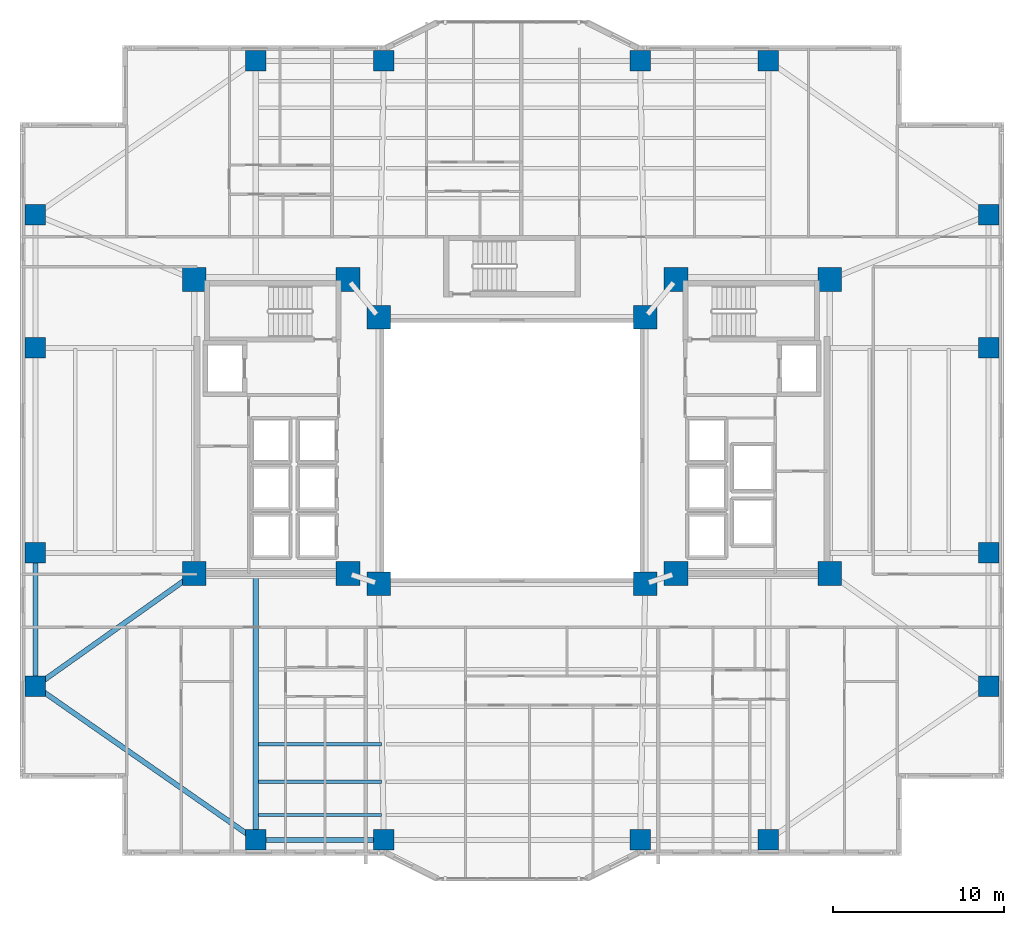
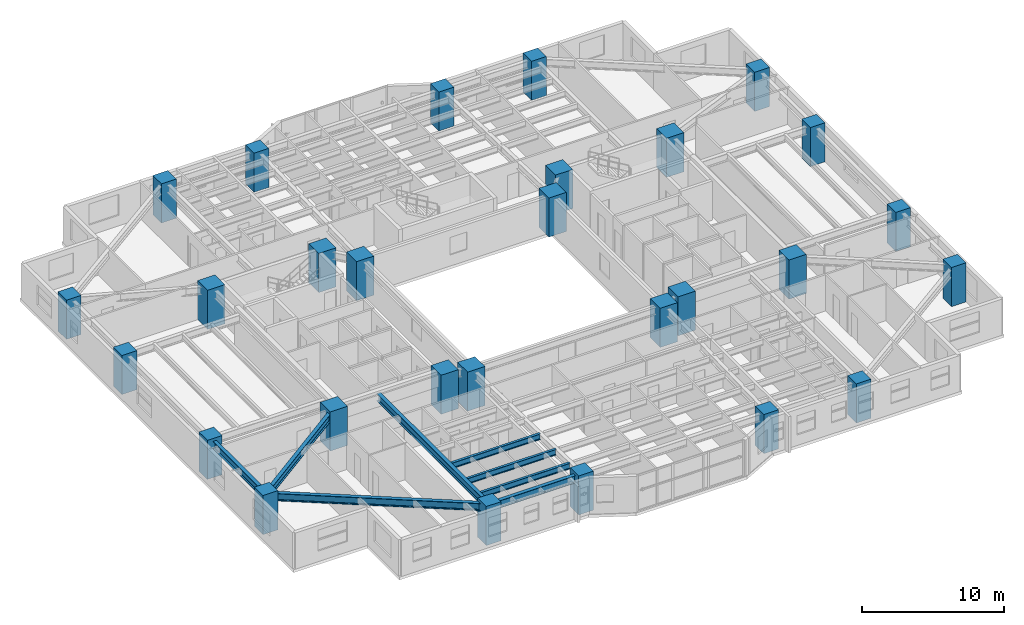
# One storey, part 1 of 21: 28 columns, 8 beams.
"""IFC4 building model written with IfcOpenShell, lengths in metres."""

import ifcopenshell
import ifcopenshell.guid

model = None  # the IFC model being written
_history = None  # IfcOwnerHistory: only IFC2X3 demands one
_inside = {}  # id of a spatial element -> (the spatial element, [elements in it])
_under = {}  # id of a project, library or spatial element -> (it, [spatial elements below it])
_declared = {}  # id of a project -> (the project, [libraries it declares])
_typed = {}  # id of a type object -> (the type object, [elements of that type])
_made_of = {}  # id of a material, layer set ... -> (it, [elements and type objects made of it])


def new_model(schema):
    """Start an empty IFC model of exactly this schema.

    Asked for "IFC4X3", IfcOpenShell would pick the latest addendum, in which some entities
    have other attributes; the version numbers below select the first issue.
    IFC2X3 requires an IfcOwnerHistory on every rooted entity: one is made here for all.
    """
    global model, _history
    if schema == "IFC4X3":
        model = ifcopenshell.file(schema_version=(4, 3, 0, 0))
    else:
        model = ifcopenshell.file(schema=schema)
    _inside.clear()
    _under.clear()
    _declared.clear()
    _typed.clear()
    _made_of.clear()
    _history = None
    if model.schema == "IFC2X3":
        org = make("IfcOrganization", Name="unknown")
        user = make(
            "IfcPersonAndOrganization",
            ThePerson=make("IfcPerson", FamilyName="unknown"),
            TheOrganization=org,
        )
        app = make(
            "IfcApplication",
            ApplicationDeveloper=org,
            Version="unknown",
            ApplicationFullName="unknown",
            ApplicationIdentifier="unknown",
        )
        _history = make(
            "IfcOwnerHistory",
            OwningUser=user,
            OwningApplication=app,
            ChangeAction="ADDED",
            CreationDate=0,
        )
    return model


def make(cls, **values):
    """One entity of the class cls with the attributes given. An attribute that is None is left unset."""
    return model.create_entity(
        cls, **{name: value for name, value in values.items() if value is not None}
    )


def rooted(cls, **values):
    """An entity with a GlobalId (a new one), such as an element, a storey or a relation."""
    return make(cls, GlobalId=ifcopenshell.guid.new(), OwnerHistory=_history, **values)


def si_unit(unit_type, name, prefix=None):
    """IfcSIUnit, for example si_unit("LENGTHUNIT", "METRE", prefix="MILLI")."""
    return make("IfcSIUnit", UnitType=unit_type, Prefix=prefix, Name=name)


def assignment(units):
    """IfcUnitAssignment: the units of a project."""
    return None if units is None else make("IfcUnitAssignment", Units=units)


def point(xyz):
    """IfcCartesianPoint."""
    return None if xyz is None else make("IfcCartesianPoint", Coordinates=xyz)


def direction(xyz):
    """IfcDirection."""
    return None if xyz is None else make("IfcDirection", DirectionRatios=xyz)


def frame(location, z_axis=None, x_axis=None):
    """IfcAxis2Placement3D, a coordinate frame: its origin and axes. An axis left out is left unset."""
    return make(
        "IfcAxis2Placement3D",
        Location=point(location),
        Axis=direction(z_axis),
        RefDirection=direction(x_axis),
    )


def frame_2d(location, x_axis=None):
    """IfcAxis2Placement2D, a coordinate frame in the plane: its origin and x axis."""
    return make(
        "IfcAxis2Placement2D", Location=point(location), RefDirection=direction(x_axis)
    )


def origin():
    """The frame at (0, 0, 0) with its axes left unset."""
    return frame((0.0, 0.0, 0.0))


def origin_2d():
    """The frame at (0, 0) in the plane with its x axis left unset."""
    return frame_2d((0.0, 0.0))


def place(relative_to, where):
    """IfcLocalPlacement: puts the frame where relative to a parent placement (None: the world)."""
    return make(
        "IfcLocalPlacement", PlacementRelTo=relative_to, RelativePlacement=where
    )


def context(
    kind, dimensions, precision=None, world=None, true_north=None, identifier=None
):
    """IfcGeometricRepresentationContext, for example the 3D "Model" context."""
    return make(
        "IfcGeometricRepresentationContext",
        ContextIdentifier=identifier,
        ContextType=kind,
        CoordinateSpaceDimension=dimensions,
        Precision=precision,
        WorldCoordinateSystem=world,
        TrueNorth=true_north,
    )


def subcontext(parent, identifier, kind, view, scale=None):
    """IfcGeometricRepresentationSubContext, for example "Body" below "Model"."""
    return make(
        "IfcGeometricRepresentationSubContext",
        ContextIdentifier=identifier,
        ContextType=kind,
        ParentContext=parent,
        TargetScale=scale,
        TargetView=view,
    )


def project(units=None, contexts=None):
    """IfcProject with its units and contexts."""
    return rooted(
        "IfcProject",
        Name="project",
        RepresentationContexts=contexts,
        UnitsInContext=assignment(units),
    )


def spatial(cls, under=None, at=None, **own):
    """A site, building, storey or space (cls), placed at a placement, below another one or the project."""
    s = rooted(cls, ObjectPlacement=at, **own)
    if under is not None:
        _under.setdefault(under.id(), (under, []))[1].append(s)
    return s


def profile(cls, at=None, kind="AREA", **sizes):
    """A parametric profile (cls). Its sizes go by their IFC names, for example OverallWidth=200.0."""
    return make(cls, ProfileType=kind, Position=at, **sizes)


def rectangle(**sizes):
    """IfcRectangleProfileDef."""
    return profile("IfcRectangleProfileDef", **sizes)


def i_section(**sizes):
    """IfcIShapeProfileDef."""
    return profile("IfcIShapeProfileDef", **sizes)


def extrude(swept, where, along, depth):
    """IfcExtrudedAreaSolid: the profile swept, set in the frame where, extruded along a direction by depth."""
    return make(
        "IfcExtrudedAreaSolid",
        SweptArea=swept,
        Position=where,
        ExtrudedDirection=direction(along),
        Depth=depth,
    )


def shape(context_of_items, identifier, shape_type, items):
    """IfcShapeRepresentation: the items that make up one representation, for example the "Body"."""
    return make(
        "IfcShapeRepresentation",
        ContextOfItems=context_of_items,
        RepresentationIdentifier=identifier,
        RepresentationType=shape_type,
        Items=items,
    )


def material(Name=None, Category=None):
    """IfcMaterial."""
    return make("IfcMaterial", Name=Name, Category=Category)


def material_profile(
    of_material, cross_section, Name=None, Category=None, Priority=None
):
    """IfcMaterialProfile: a cross section and its material."""
    return make(
        "IfcMaterialProfile",
        Name=Name,
        Material=of_material,
        Profile=cross_section,
        Priority=Priority,
        Category=Category,
    )


def profile_set(profiles, Name=None, composite=None):
    """IfcMaterialProfileSet."""
    return make(
        "IfcMaterialProfileSet",
        Name=Name,
        MaterialProfiles=profiles,
        CompositeProfile=composite,
    )


def made_of(thing, what):
    """Note that an element or type object is made of a material, layer set ...; save() writes the relation."""
    if what is not None:
        _made_of.setdefault(what.id(), (what, []))[1].append(thing)
    return thing


def type_object(cls, material=None, **own):
    """A type object (cls), such as IfcWallType, which elements share."""
    return made_of(rooted(cls, **own), material)


def element(
    cls,
    number,
    at=None,
    inside=None,
    cuts=None,
    type_object=None,
    material=None,
    context=None,
    identifier="Body",
    shape_type=None,
    held_by="IfcProductDefinitionShape",
    body=None,
    shapes=None,
    **own,
):
    """One element of the class cls, such as IfcWall. Its Tag is "e" and its number.

    at: its placement. inside: the storey or other place that contains it. cuts: it is an
    opening in that element (IfcRelVoidsElement). A single representation is given by context,
    identifier, shape_type and body (its items); several are given by shapes. held_by: the class
    of the entity that holds the representations. save() writes the other relations.
    """
    e = rooted(cls, Tag="e%d" % number, ObjectPlacement=at, **own)
    if body is not None:
        shapes = [shape(context, identifier, shape_type, body)]
    if shapes is not None:
        e.Representation = make(held_by, Representations=shapes)
    if inside is not None:
        _inside.setdefault(inside.id(), (inside, []))[1].append(e)
    if cuts is not None:
        rooted(
            "IfcRelVoidsElement", RelatingBuildingElement=cuts, RelatedOpeningElement=e
        )
    if type_object is not None:
        _typed.setdefault(type_object.id(), (type_object, []))[1].append(e)
    return made_of(e, material)


def aggregate(whole, parts):
    """IfcRelAggregates: a whole, such as a stair, and the parts it consists of."""
    return rooted("IfcRelAggregates", RelatingObject=whole, RelatedObjects=parts)


def save(model, path):
    """Write the relations noted so far, then the file.

    IfcRelAggregates (storeys below a building ...), IfcRelContainedInSpatialStructure (elements
    in a storey), IfcRelDefinesByType, IfcRelAssociatesMaterial and IfcRelDeclares: one each for
    every whole, place, type object, material and project.
    """
    for whole, parts in _under.values():
        aggregate(whole, parts)
    for where, things in _inside.values():
        rooted(
            "IfcRelContainedInSpatialStructure",
            RelatedElements=things,
            RelatingStructure=where,
        )
    for kind, things in _typed.values():
        rooted("IfcRelDefinesByType", RelatedObjects=things, RelatingType=kind)
    for what, things in _made_of.values():
        rooted("IfcRelAssociatesMaterial", RelatedObjects=things, RelatingMaterial=what)
    for by, libraries in _declared.values():
        rooted("IfcRelDeclares", RelatingContext=by, RelatedDefinitions=libraries)
    model.write(path)


model = new_model("IFC4")

# Units and contexts
model_context = context("Model", 3, precision=1e-05, world=origin(), true_north=direction((0.0, 1.0)))
body_context = subcontext(model_context, "Body", "Model", "MODEL_VIEW")
ifc_project = project(units=[si_unit("LENGTHUNIT", "METRE"), si_unit("AREAUNIT", "SQUARE_METRE"), si_unit("VOLUMEUNIT", "CUBIC_METRE"), si_unit("PLANEANGLEUNIT", "RADIAN"), si_unit("MASSUNIT", "GRAM", prefix="KILO")], contexts=[model_context])

# Site, building, storey
site_placement = place(None, origin())
site = spatial("IfcSite", under=ifc_project, at=site_placement, CompositionType="ELEMENT")
building_placement = place(site_placement, origin())
building = spatial("IfcBuilding", under=site, at=building_placement, Name="Tarnavaz Court Tower", CompositionType="ELEMENT")
storey_placement = place(building_placement, frame((0.0, 0.0, 37.39990234375)))
storey = spatial("IfcBuildingStorey", under=building, at=storey_placement, Name="L09", CompositionType="ELEMENT", Elevation=37.39990234375)

# Columns
ifc_material_1 = material(Name="Concrete C60/75", Category="concrete")
ifc_material_profile_1 = material_profile(ifc_material_1, rectangle(XDim=1.199951171875, YDim=1.199951171875, at=origin_2d()), Name="RC 1200X1200")
ifc_profile_set_1 = profile_set([ifc_material_profile_1], Name="Concrete C60/75")
column_type_1 = type_object("IfcColumnType", Name="CL-RC1200", PredefinedType="COLUMN", material=ifc_profile_set_1)
for number, where, z_axis, x_axis, name in (
    (1, (-15.0, 22.800048828125, 0.0), (0.0, 0.0, 1.0), (1.0, 0.0, 0.0), "L09 Column PN-1"),
    (2, (-7.5, 22.800048828125, 0.0), (0.0, 0.0, 1.0), (1.0, 0.0, 0.0), "L09 Column PN-2"),
    (3, (7.5, 22.800048828125, 0.0), (0.0, 0.0, 1.0), (1.0, 0.0, 0.0), "L09 Column PN-3"),
    (4, (15.0, 22.800048828125, 0.0), (0.0, 0.0, 1.0), (1.0, 0.0, 0.0), "L09 Column PN-4"),
    (5, (-15.0, -22.800048828125, 0.0), (0.0, 0.0, 1.0), (1.0, 0.0, 0.0), "L09 Column PS-1"),
    (6, (-7.5, -22.800048828125, 0.0), (0.0, 0.0, 1.0), (1.0, 0.0, 0.0), "L09 Column PS-2"),
    (7, (7.5, -22.800048828125, 0.0), (0.0, 0.0, 1.0), (1.0, 0.0, 0.0), "L09 Column PS-3"),
    (8, (15.0, -22.800048828125, 0.0), (0.0, 0.0, 1.0), (1.0, 0.0, 0.0), "L09 Column PS-4"),
    (9, (27.89990234375, -13.800048828125, 0.0), (0.0, 0.0, 1.0), (1.0, 0.0, 0.0), "L09 Column PE-1"),
    (10, (27.89990234375, -6.0, 0.0), (0.0, 0.0, 1.0), (1.0, 0.0, 0.0), "L09 Column PE-2"),
    (11, (27.89990234375, 6.0, 0.0), (0.0, 0.0, 1.0), (1.0, 0.0, 0.0), "L09 Column PE-3"),
    (12, (27.89990234375, 13.800048828125, 0.0), (0.0, 0.0, 1.0), (1.0, 0.0, 0.0), "L09 Column PE-4"),
    (13, (-27.89990234375, -13.800048828125, 0.0), (0.0, 0.0, 1.0), (1.0, 0.0, 0.0), "L09 Column PW-1"),
    (14, (-27.89990234375, -6.0, 0.0), (0.0, 0.0, 1.0), (1.0, 0.0, 0.0), "L09 Column PW-2"),
    (15, (-27.89990234375, 6.0, 0.0), (0.0, 0.0, 1.0), (1.0, 0.0, 0.0), "L09 Column PW-3"),
    (16, (-27.89990234375, 13.800048828125, 0.0), (0.0, 0.0, 1.0), (1.0, 0.0, 0.0), "L09 Column PW-4"),
):
    element("IfcColumn", number, at=place(storey_placement, frame(where, z_axis=z_axis, x_axis=x_axis)), inside=storey, type_object=column_type_1, Name=name, PredefinedType="COLUMN", context=body_context, shape_type="SweptSolid", body=[
        extrude(rectangle(XDim=1.199951171875, YDim=1.199951171875, at=origin_2d()), origin(), (0.0, 0.0, 1.0), 3.35009765625),
    ])
ifc_material_profile_2 = material_profile(ifc_material_1, rectangle(XDim=1.39990234375, YDim=1.39990234375, at=origin_2d()), Name="RC 1400X1400")
ifc_profile_set_2 = profile_set([ifc_material_profile_2], Name="Concrete C60/75")
column_type_2 = type_object("IfcColumnType", Name="CL-RC1400", PredefinedType="COLUMN", material=ifc_profile_set_2)
for number, where, z_axis, x_axis, name in (
    (17, (-7.800048828125, -7.800048828125, 0.0), (0.0, 0.0, 1.0), (1.0, 0.0, 0.0), "L09 Column IW-SW"),
    (18, (7.800048828125, -7.800048828125, 0.0), (0.0, 0.0, 1.0), (1.0, 0.0, 0.0), "L09 Column IW-SE"),
    (19, (-7.800048828125, 7.800048828125, 0.0), (0.0, 0.0, 1.0), (1.0, 0.0, 0.0), "L09 Column IW-NW"),
    (20, (7.800048828125, 7.800048828125, 0.0), (0.0, 0.0, 1.0), (1.0, 0.0, 0.0), "L09 Column IW-NE"),
    (21, (-9.60009765625, -7.199951171875, 0.0), (0.0, 0.0, 1.0), (1.0, 0.0, 0.0), "L09 Column CW-SI"),
    (22, (-9.60009765625, 10.0, 0.0), (0.0, 0.0, 1.0), (1.0, 0.0, 0.0), "L09 Column CW-NI"),
    (23, (9.60009765625, -7.199951171875, 0.0), (0.0, 0.0, 1.0), (1.0, 0.0, 0.0), "L09 Column CE-SI"),
    (24, (9.60009765625, 10.0, 0.0), (0.0, 0.0, 1.0), (1.0, 0.0, 0.0), "L09 Column CE-NI"),
    (25, (-18.60009765625, -7.199951171875, 0.0), (0.0, 0.0, 1.0), (1.0, 0.0, 0.0), "L09 Column CW-SO"),
    (26, (-18.60009765625, 10.0, 0.0), (0.0, 0.0, 1.0), (1.0, 0.0, 0.0), "L09 Column CW-NO"),
    (27, (18.60009765625, -7.199951171875, 0.0), (0.0, 0.0, 1.0), (1.0, 0.0, 0.0), "L09 Column CE-SO"),
    (28, (18.60009765625, 10.0, 0.0), (0.0, 0.0, 1.0), (1.0, 0.0, 0.0), "L09 Column CE-NO"),
):
    element("IfcColumn", number, at=place(storey_placement, frame(where, z_axis=z_axis, x_axis=x_axis)), inside=storey, type_object=column_type_2, Name=name, PredefinedType="COLUMN", context=body_context, shape_type="SweptSolid", body=[
        extrude(rectangle(XDim=1.39990234375, YDim=1.39990234375, at=origin_2d()), origin(), (0.0, 0.0, 1.0), 3.35009765625),
    ])

# Beams
ifc_material_2 = material(Name="Steel S355", Category="steel")
ifc_material_profile_3 = material_profile(ifc_material_2, i_section(OverallWidth=0.300048828125, OverallDepth=0.64990234375, WebThickness=0.01611328125, FlangeThickness=0.031005859375, FilletRadius=0.027099609375, at=origin_2d()), Name="HEB 650")
ifc_profile_set_3 = profile_set([ifc_material_profile_3], Name="Steel S355")
beam_type_1 = type_object("IfcBeamType", Name="BM-G-HEB650", PredefinedType="USERDEFINED", material=ifc_profile_set_3)
beam_1_placement = place(storey_placement, frame((-15.0, -7.239990234375, 2.775146484375), z_axis=(0.0, -1.0, 0.0), x_axis=(1.0, 0.0, 0.0)))
element("IfcBeam", 29, at=beam_1_placement, inside=storey, type_object=beam_type_1, Name="L09 Beam RG-05", ObjectType="GIRDER", PredefinedType="USERDEFINED", context=body_context, shape_type="SweptSolid", body=[
    extrude(i_section(OverallWidth=0.300048828125, OverallDepth=0.64990234375, WebThickness=0.01611328125, FlangeThickness=0.031005859375, FilletRadius=0.027099609375, at=origin_2d()), origin(), (0.0, 0.0, 1.0), 15.340087890625),
])
beam_2_placement = place(storey_placement, frame((-18.779296875, -7.327392578125, 2.775146484375), z_axis=(-0.815520027245, -0.578728852886, 0.0), x_axis=(0.578728852886, -0.815520027245, 0.0)))
element("IfcBeam", 30, at=beam_2_placement, inside=storey, type_object=beam_type_1, Name="L09 Beam RG-15", ObjectType="GIRDER", PredefinedType="USERDEFINED", context=body_context, shape_type="SweptSolid", body=[
    extrude(i_section(OverallWidth=0.300048828125, OverallDepth=0.64990234375, WebThickness=0.01611328125, FlangeThickness=0.031005859375, FilletRadius=0.027099609375, at=origin_2d()), origin(), (0.0, 0.0, 1.0), 10.964111328125),
])
ifc_material_profile_4 = material_profile(ifc_material_2, i_section(OverallWidth=0.199951171875, OverallDepth=0.5, WebThickness=0.01025390625, FlangeThickness=0.01611328125, FilletRadius=0.02099609375, at=origin_2d()), Name="IPE 500")
ifc_profile_set_4 = profile_set([ifc_material_profile_4], Name="Steel S355")
beam_type_2 = type_object("IfcBeamType", Name="BM-J-IPE500", PredefinedType="JOIST", material=ifc_profile_set_4)
for number, where, z_axis, x_axis, name in (
    (31, (-14.85009765625, -17.18798828125, 2.85009765625), (1.0, 0.0, 0.0), (0.0, 1.0, 0.0), "L09 Beam JS3-1"),
    (32, (-14.85009765625, -19.384033203125, 2.85009765625), (1.0, 0.0, 0.0), (0.0, 1.0, 0.0), "L09 Beam JS4-1"),
    (33, (-14.85009765625, -21.3359375, 2.85009765625), (1.0, 0.0, 0.0), (0.0, 1.0, 0.0), "L09 Beam JS5-1"),
):
    element("IfcBeam", number, at=place(storey_placement, frame(where, z_axis=z_axis, x_axis=x_axis)), inside=storey, type_object=beam_type_2, Name=name, PredefinedType="JOIST", context=body_context, shape_type="SweptSolid", body=[
        extrude(i_section(OverallWidth=0.199951171875, OverallDepth=0.5, WebThickness=0.01025390625, FlangeThickness=0.01611328125, FilletRadius=0.02099609375, at=origin_2d()), origin(), (0.0, 0.0, 1.0), 7.2001953125),
    ])
ifc_material_profile_5 = material_profile(ifc_material_2, i_section(OverallWidth=0.300048828125, OverallDepth=0.639892578125, WebThickness=0.013427734375, FlangeThickness=0.02587890625, FilletRadius=0.027099609375, at=origin_2d()), Name="HEA 650")
ifc_profile_set_5 = profile_set([ifc_material_profile_5], Name="Steel S355")
beam_type_3 = type_object("IfcBeamType", Name="BM-SP-HEA650", PredefinedType="SPANDREL", material=ifc_profile_set_5)
beam_3_placement = place(storey_placement, frame((-14.780029296875, -22.800048828125, 2.780029296875), z_axis=(1.0, 0.0, 0.0), x_axis=(0.0, 1.0, 0.0)))
element("IfcBeam", 34, at=beam_3_placement, inside=storey, type_object=beam_type_3, Name="L09 Beam PR-PS-1-PS-2", PredefinedType="SPANDREL", context=body_context, shape_type="SweptSolid", body=[
    extrude(i_section(OverallWidth=0.300048828125, OverallDepth=0.639892578125, WebThickness=0.013427734375, FlangeThickness=0.02587890625, FilletRadius=0.027099609375, at=origin_2d()), origin(), (0.0, 0.0, 1.0), 7.06005859375),
])
beam_4_placement = place(storey_placement, frame((-27.89990234375, -13.580078125, 2.780029296875), z_axis=(0.0, 1.0, 0.0), x_axis=(-1.0, 0.0, 0.0)))
element("IfcBeam", 35, at=beam_4_placement, inside=storey, type_object=beam_type_3, Name="L09 Beam PR-PW-1-PW-2", PredefinedType="SPANDREL", context=body_context, shape_type="SweptSolid", body=[
    extrude(i_section(OverallWidth=0.300048828125, OverallDepth=0.639892578125, WebThickness=0.013427734375, FlangeThickness=0.02587890625, FilletRadius=0.027099609375, at=origin_2d()), origin(), (0.0, 0.0, 1.0), 7.360107421875),
])
beam_5_placement = place(storey_placement, frame((-15.180419921875, -22.674072265625, 2.780029296875), z_axis=(-0.820123643324, 0.572186341729, 0.0), x_axis=(-0.572186341729, -0.820123643324, 0.0)))
element("IfcBeam", 36, at=beam_5_placement, inside=storey, type_object=beam_type_3, Name="L09 Beam PR-PS-1-PW-1", PredefinedType="SPANDREL", context=body_context, shape_type="SweptSolid", body=[
    extrude(i_section(OverallWidth=0.300048828125, OverallDepth=0.639892578125, WebThickness=0.013427734375, FlangeThickness=0.02587890625, FilletRadius=0.027099609375, at=origin_2d()), origin(), (0.0, 0.0, 1.0), 15.289306640625),
])

save(model, "model.ifc")
